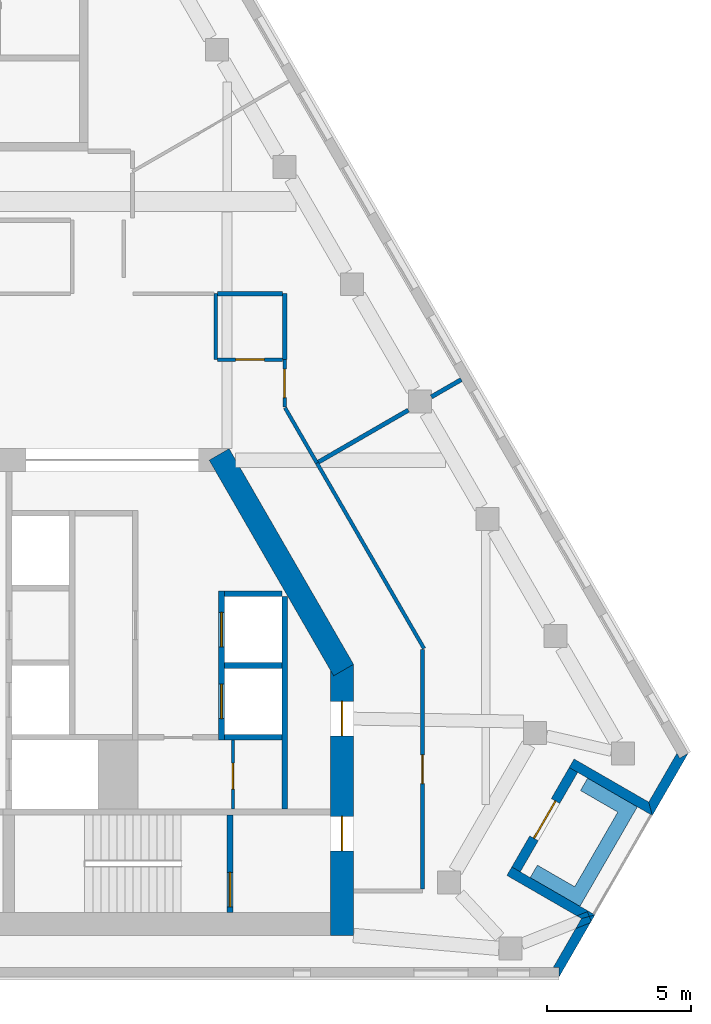
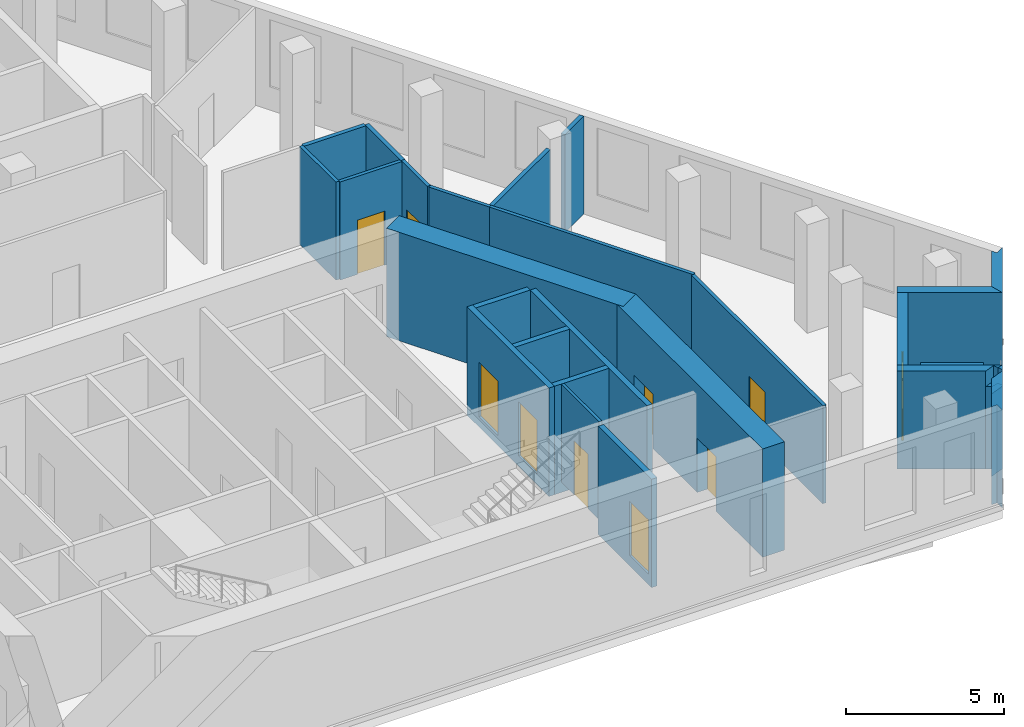
# One storey, part 5 of 8: 28 walls, 10 doors, 10 openings.
"""IFC4 building model written with IfcOpenShell, lengths in metres."""

from ifc_helpers import new_model, si_unit, direction, frame, frame_2d, origin, place, context, subcontext, project, spatial, polyline, rectangle, outline, extrude, material, layer, layer_set, type_object, element, fill, save


model = new_model("IFC4")

# Units and contexts
model_context = context("Model", 3, precision=1e-05, world=origin(), true_north=direction((0.0, 1.0)))
body_context = subcontext(model_context, "Body", "Model", "MODEL_VIEW")
ifc_project = project(units=[si_unit("LENGTHUNIT", "METRE"), si_unit("AREAUNIT", "SQUARE_METRE"), si_unit("VOLUMEUNIT", "CUBIC_METRE"), si_unit("PLANEANGLEUNIT", "RADIAN"), si_unit("MASSUNIT", "GRAM", prefix="KILO")], contexts=[model_context])

# Site, building, storey
site_placement = place(None, origin())
site = spatial("IfcSite", under=ifc_project, at=site_placement, CompositionType="ELEMENT")
building_placement = place(site_placement, origin())
building = spatial("IfcBuilding", under=site, at=building_placement, Name="Fogline Exchange Tower", CompositionType="ELEMENT")
storey_placement = place(building_placement, frame((0.0, 0.0, 296.10009765625)))
storey = spatial("IfcBuildingStorey", under=building, at=storey_placement, Name="L67", CompositionType="ELEMENT", Elevation=296.10009765625)

# Wall, opening, door
ifc_material_1 = material(Name="Blockwork partition", Category="masonry")
ifc_layer_1 = layer(ifc_material_1, 0.10009765625)
ifc_layer_set_1 = layer_set([ifc_layer_1], Name="CW10")
wall_type_1 = type_object("IfcWallType", Name="CW10", PredefinedType="PARTITIONING", material=ifc_layer_set_1)
wall_1_placement = place(storey_placement, frame((9.199951171875, 5.85009765625, 0.0), z_axis=(0.0, 0.0, 1.0), x_axis=(0.0, 1.0, 0.0)))
wall_1 = element("IfcWall", 1, at=wall_1_placement, inside=storey, type_object=wall_type_1, Name="WC partition", PredefinedType="PARTITIONING", context=body_context, shape_type="SweptSolid", body=[
    extrude(rectangle(XDim=2.39990234375, YDim=0.10009765625, at=frame_2d((1.199951171875, 0.0))), origin(), (0.0, 0.0, 1.0), 3.7998046875),
])
opening_1_placement = place(wall_1_placement, frame((0.699951171875, 0.0, 0.0)))
opening_1 = element("IfcOpeningElement", 2, at=opening_1_placement, cuts=wall_1, Name="Opening T21-C016", PredefinedType="OPENING", context=body_context, shape_type="SweptSolid", body=[
    extrude(rectangle(XDim=0.89990234375, YDim=2.10009765625, at=frame_2d((0.449951171875, 1.050048828125))), frame((0.0, 0.06005859375, 0.0), z_axis=(0.0, -1.0, 0.0), x_axis=(1.0, 0.0, 0.0)), (0.0, 0.0, 1.0), 0.1201171875),
])
ifc_material_2 = material(Name="Steel and timber fire door", Category="steel")
door_type_1 = type_object("IfcDoorType", Name="D-CS1", OperationType="SINGLE_SWING_RIGHT", PredefinedType="DOOR", material=ifc_material_2)
door_1_placement = place(opening_1_placement, frame((0.89990234375, 0.0, 0.0), z_axis=(0.0, 0.0, 1.0), x_axis=(-1.0, 0.0, 0.0)))
door_1 = element("IfcDoor", 3, at=door_1_placement, inside=storey, type_object=door_type_1, Name="Door to Cleaner's Store", OperationType="SINGLE_SWING_RIGHT", OverallHeight=2.10009765625, OverallWidth=0.89990234375, PredefinedType="DOOR", context=body_context, shape_type="SweptSolid", body=[
    extrude(rectangle(XDim=0.89990234375, YDim=2.10009765625, at=frame_2d((0.449951171875, 1.050048828125))), frame((0.0, 0.02490234375, 0.0), z_axis=(0.0, -1.0, 0.0), x_axis=(1.0, 0.0, 0.0)), (0.0, 0.0, 1.0), 0.050048828125),
])
fill(opening_1, door_1)

# Wall
ifc_material_3 = material(Name="Concrete C40", Category="concrete")
ifc_layer_2 = layer(ifc_material_3, 0.199951171875)
ifc_layer_set_2 = layer_set([ifc_layer_2], Name="CW20")
wall_type_2 = type_object("IfcWallType", Name="CW20", PredefinedType="SOLIDWALL", material=ifc_layer_set_2)
wall_2_placement = place(storey_placement, frame((11.0, 5.85009765625, 0.0), z_axis=(0.0, 0.0, 1.0), x_axis=(0.0, 1.0, 0.0)))
element("IfcWall", 4, at=wall_2_placement, inside=storey, type_object=wall_type_2, Name="Service room wall", PredefinedType="SOLIDWALL", context=body_context, shape_type="SweptSolid", body=[
    extrude(rectangle(XDim=7.39990234375, YDim=0.199951171875, at=frame_2d((3.699951171875, 0.0))), origin(), (0.0, 0.0, 1.0), 3.7998046875),
])

# Wall, opening, door
ifc_layer_3 = layer(ifc_material_3, 0.199951171875)
ifc_layer_set_3 = layer_set([ifc_layer_3], Name="CW20R")
wall_type_3 = type_object("IfcWallType", Name="CW20R", PredefinedType="SOLIDWALL", material=ifc_layer_set_3)
wall_3_placement = place(storey_placement, frame((9.10009765625, 2.25, -0.400146484375), z_axis=(0.0, 0.0, 1.0), x_axis=(0.0, 1.0, 0.0)))
wall_3 = element("IfcWall", 5, at=wall_3_placement, inside=storey, type_object=wall_type_3, Name="Stair enclosure wall", PredefinedType="SOLIDWALL", context=body_context, shape_type="SweptSolid", body=[
    extrude(rectangle(XDim=3.39990234375, YDim=0.199951171875, at=frame_2d((1.699951171875, 0.0))), origin(), (0.0, 0.0, 1.0), 4.199951171875),
])
opening_2_placement = place(wall_3_placement, frame((0.199951171875, 0.0, 0.39990234375)))
opening_2 = element("IfcOpeningElement", 6, at=opening_2_placement, cuts=wall_3, Name="Opening T21-C018", PredefinedType="OPENING", context=body_context, shape_type="SweptSolid", body=[
    extrude(rectangle(XDim=1.199951171875, YDim=2.10009765625, at=frame_2d((0.60009765625, 1.050048828125))), frame((0.0, 0.10986328125, 0.0), z_axis=(0.0, -1.0, 0.0), x_axis=(1.0, 0.0, 0.0)), (0.0, 0.0, 1.0), 0.219970703125),
])
door_type_2 = type_object("IfcDoorType", Name="D-ST1", OperationType="SINGLE_SWING_LEFT", PredefinedType="DOOR", material=ifc_material_2)
door_2_placement = place(opening_2_placement, origin())
door_2 = element("IfcDoor", 7, at=door_2_placement, inside=storey, type_object=door_type_2, Name="Stair door ST2", OperationType="SINGLE_SWING_LEFT", OverallHeight=2.10009765625, OverallWidth=1.199951171875, PredefinedType="DOOR", context=body_context, shape_type="SweptSolid", body=[
    extrude(rectangle(XDim=1.199951171875, YDim=2.10009765625, at=frame_2d((0.60009765625, 1.050048828125))), frame((0.0, 0.02490234375, 0.0), z_axis=(0.0, -1.0, 0.0), x_axis=(1.0, 0.0, 0.0)), (0.0, 0.0, 1.0), 0.050048828125),
])
fill(opening_2, door_2)

# Wall, openings, doors
ifc_layer_4 = layer(ifc_material_3, 0.199951171875)
ifc_layer_set_4 = layer_set([ifc_layer_4], Name="CW20S")
wall_type_4 = type_object("IfcWallType", Name="CW20S", PredefinedType="SOLIDWALL", material=ifc_layer_set_4)
wall_4_placement = place(storey_placement, frame((8.800048828125, 8.25, -0.400146484375), z_axis=(0.0, 0.0, 1.0), x_axis=(0.0, 1.0, 0.0)))
wall_4 = element("IfcWall", 8, at=wall_4_placement, inside=storey, type_object=wall_type_4, Name="Lift shaft wall", PredefinedType="SOLIDWALL", context=body_context, shape_type="SweptSolid", body=[
    extrude(rectangle(XDim=5.199951171875, YDim=0.199951171875, at=frame_2d((2.60009765625, 0.0))), origin(), (0.0, 0.0, 1.0), 4.199951171875),
])
opening_3_placement = place(wall_4_placement, frame((0.75, 0.0, 0.39990234375)))
opening_3 = element("IfcOpeningElement", 9, at=opening_3_placement, cuts=wall_4, Name="Opening T21-LD02", PredefinedType="OPENING", context=body_context, shape_type="SweptSolid", body=[
    extrude(rectangle(XDim=1.199951171875, YDim=2.10009765625, at=frame_2d((0.60009765625, 1.050048828125))), frame((0.0, 0.10986328125, 0.0), z_axis=(0.0, -1.0, 0.0), x_axis=(1.0, 0.0, 0.0)), (0.0, 0.0, 1.0), 0.219970703125),
])
opening_4_placement = place(wall_4_placement, frame((3.25, 0.0, 0.39990234375)))
opening_4 = element("IfcOpeningElement", 10, at=opening_4_placement, cuts=wall_4, Name="Opening T21-LD03", PredefinedType="OPENING", context=body_context, shape_type="SweptSolid", body=[
    extrude(rectangle(XDim=1.199951171875, YDim=2.10009765625, at=frame_2d((0.60009765625, 1.050048828125))), frame((0.0, 0.10986328125, 0.0), z_axis=(0.0, -1.0, 0.0), x_axis=(1.0, 0.0, 0.0)), (0.0, 0.0, 1.0), 0.219970703125),
])
door_type_3 = type_object("IfcDoorType", Name="LD1", OperationType="SLIDING_TO_LEFT", PredefinedType="DOOR", material=ifc_material_2)
door_3_placement = place(opening_3_placement, origin())
door_3 = element("IfcDoor", 11, at=door_3_placement, inside=storey, type_object=door_type_3, Name="Landing door HR1", OperationType="SLIDING_TO_LEFT", OverallHeight=2.10009765625, OverallWidth=1.199951171875, PredefinedType="DOOR", context=body_context, shape_type="SweptSolid", body=[
    extrude(rectangle(XDim=1.199951171875, YDim=2.10009765625, at=frame_2d((0.60009765625, 1.050048828125))), frame((0.0, 0.02490234375, 0.0), z_axis=(0.0, -1.0, 0.0), x_axis=(1.0, 0.0, 0.0)), (0.0, 0.0, 1.0), 0.050048828125),
])
fill(opening_3, door_3)
door_4_placement = place(opening_4_placement, origin())
door_4 = element("IfcDoor", 12, at=door_4_placement, inside=storey, type_object=door_type_3, Name="Landing door HR2", OperationType="SLIDING_TO_LEFT", OverallHeight=2.10009765625, OverallWidth=1.199951171875, PredefinedType="DOOR", context=body_context, shape_type="SweptSolid", body=[
    extrude(rectangle(XDim=1.199951171875, YDim=2.10009765625, at=frame_2d((0.60009765625, 1.050048828125))), frame((0.0, 0.02490234375, 0.0), z_axis=(0.0, -1.0, 0.0), x_axis=(1.0, 0.0, 0.0)), (0.0, 0.0, 1.0), 0.050048828125),
])
fill(opening_4, door_4)

# Walls
for number, where, z_axis, x_axis, name in (
    (13, (8.89990234375, 8.35009765625, -0.400146484375), (0.0, 0.0, 1.0), (1.0, 0.0, 0.0), "Lift shaft wall"),
    (14, (8.89990234375, 10.85009765625, -0.400146484375), (0.0, 0.0, 1.0), (1.0, 0.0, 0.0), "Lift shaft wall"),
    (15, (8.89990234375, 13.35009765625, -0.400146484375), (0.0, 0.0, 1.0), (1.0, 0.0, 0.0), "Lift shaft wall"),
):
    element("IfcWall", number, at=place(storey_placement, frame(where, z_axis=z_axis, x_axis=x_axis)), inside=storey, type_object=wall_type_4, Name=name, PredefinedType="SOLIDWALL", context=body_context, shape_type="SweptSolid", body=[
        extrude(rectangle(XDim=2.0, YDim=0.199951171875, at=frame_2d((1.0, 0.0))), origin(), (0.0, 0.0, 1.0), 4.199951171875),
    ])
ifc_material_4 = material(Name="Brick masonry", Category="masonry")
ifc_layer_5 = layer(ifc_material_4, 0.340087890625)
ifc_layer_set_5 = layer_set([ifc_layer_5], Name="FW1")
wall_type_5 = type_object("IfcWallType", Name="FW1", PredefinedType="SOLIDWALL", material=ifc_layer_set_5)
wall_5_placement = place(storey_placement, origin())
element("IfcWall", 16, at=wall_5_placement, inside=storey, type_object=wall_type_5, Name="Brick wall L67 SE-c1", PredefinedType="SOLIDWALL", context=body_context, shape_type="SweptSolid", body=[
    extrude(outline(polyline([(21.644775390625, 1.891357421875), (21.1337890625, 1.6884765625), (21.33740234375, 2.041015625), (21.6083984375, 2.11376953125), (21.675537109375, 1.944580078125), (21.644775390625, 1.891357421875)])), origin(), (0.0, 0.0, 1.0), 3.199951171875),
])
wall_6_placement = place(storey_placement, origin())
element("IfcWall", 17, at=wall_6_placement, inside=storey, type_object=wall_type_5, Name="Brick wall L67 SE-c1", PredefinedType="SOLIDWALL", context=body_context, shape_type="SweptSolid", body=[
    extrude(outline(polyline([(21.675537109375, 1.944580078125), (21.6083984375, 2.11376953125), (21.802978515625, 2.166015625), (21.80322265625, 2.165771484375), (21.675537109375, 1.944580078125)])), origin(), (0.0, 0.0, 1.0), 3.7998046875),
])
wall_7_placement = place(storey_placement, origin())
element("IfcWall", 18, at=wall_7_placement, inside=storey, type_object=wall_type_5, Name="Brick wall L67 SE-c1", PredefinedType="SOLIDWALL", context=body_context, shape_type="SweptSolid", body=[
    extrude(outline(polyline([(20.55224609375, -0.001220703125), (20.551513671875, -0.0009765625), (20.551513671875, 0.33935546875), (20.354736328125, 0.33935546875), (21.1337890625, 1.6884765625), (21.644775390625, 1.891357421875), (20.55224609375, -0.001220703125)])), origin(), (0.0, 0.0, 1.0), 3.7998046875),
])
wall_8_placement = place(storey_placement, origin())
element("IfcWall", 19, at=wall_8_placement, inside=storey, type_object=wall_type_5, Name="Brick wall L67 SE-s1", PredefinedType="SOLIDWALL", context=body_context, shape_type="SweptSolid", body=[
    extrude(outline(polyline([(21.337646484375, 2.0400390625), (21.173583984375, 2.134521484375), (21.5419921875, 2.281005859375), (21.60888671875, 2.112548828125), (21.337646484375, 2.0400390625)])), origin(), (0.0, 0.0, 1.0), 3.199951171875),
])
wall_9_placement = place(storey_placement, origin())
element("IfcWall", 20, at=wall_9_placement, inside=storey, type_object=wall_type_5, Name="Brick wall L67 SE-s1", PredefinedType="SOLIDWALL", context=body_context, shape_type="SweptSolid", body=[
    extrude(outline(polyline([(18.909423828125, 3.8359375), (19.204345703125, 3.66552734375), (21.803466796875, 2.1650390625), (21.803466796875, 2.164794921875), (21.60888671875, 2.112548828125), (21.5419921875, 2.281005859375), (21.173583984375, 2.134521484375), (18.73876953125, 3.540283203125), (18.909423828125, 3.8359375)])), origin(), (0.0, 0.0, 1.0), 3.7998046875),
])

# Wall, opening, door
wall_10_placement = place(storey_placement, frame((19.056884765625, 3.75, 0.0), z_axis=(0.0, 0.0, 1.0), x_axis=(0.49999894854, 0.866026010844, 0.0)))
wall_10 = element("IfcWall", 21, at=wall_10_placement, inside=storey, type_object=wall_type_5, Name="Brick wall L67 SE-bk", PredefinedType="SOLIDWALL", context=body_context, shape_type="SweptSolid", body=[
    extrude(rectangle(XDim=4.0, YDim=0.340087890625, at=frame_2d((2.0, 0.0))), origin(), (0.0, 0.0, 1.0), 3.7998046875),
])
opening_5_placement = place(wall_10_placement, frame((1.25, 0.0, 0.0)))
opening_5 = element("IfcOpeningElement", 22, at=opening_5_placement, cuts=wall_10, Name="Opening T21-E081", PredefinedType="OPENING", context=body_context, shape_type="SweptSolid", body=[
    extrude(rectangle(XDim=1.5, YDim=2.39990234375, at=frame_2d((0.75, 1.199951171875))), frame((0.0, 0.18017578125, 0.0), z_axis=(0.0, -1.0, 0.0), x_axis=(1.0, 0.0, 0.0)), (0.0, 0.0, 1.0), 0.360107421875),
])
ifc_material_5 = material(Name="Aluminium and glass", Category="aluminium")
door_type_4 = type_object("IfcDoorType", Name="ED4", OperationType="SINGLE_SWING_LEFT", PredefinedType="DOOR", material=ifc_material_5)
door_5_placement = place(opening_5_placement, frame((1.5, 0.0, 0.0), z_axis=(0.0, 0.0, 1.0), x_axis=(-1.0, 0.0, 0.0)))
door_5 = element("IfcDoor", 23, at=door_5_placement, inside=storey, type_object=door_type_4, Name="Balcony door L67 SE", OperationType="DOUBLE_DOOR_SINGLE_SWING", OverallHeight=2.39990234375, OverallWidth=1.5, PredefinedType="DOOR", context=body_context, shape_type="SweptSolid", body=[
    extrude(rectangle(XDim=1.5, YDim=2.39990234375, at=frame_2d((0.75, 1.199951171875))), frame((0.0, 0.02490234375, 0.0), z_axis=(0.0, -1.0, 0.0), x_axis=(1.0, 0.0, 0.0)), (0.0, 0.0, 1.0), 0.050048828125),
])
fill(opening_5, door_5)

# Walls
wall_11_placement = place(storey_placement, origin())
element("IfcWall", 24, at=wall_11_placement, inside=storey, type_object=wall_type_5, Name="Brick wall L67 SE-s2", PredefinedType="SOLIDWALL", context=body_context, shape_type="SweptSolid", body=[
    extrude(outline(polyline([(23.802734375, 5.628173828125), (21.203857421875, 7.128662109375), (20.908935546875, 7.298828125), (21.079345703125, 7.594482421875), (23.67822265625, 6.093994140625), (23.802978515625, 5.62841796875), (23.802734375, 5.628173828125)])), origin(), (0.0, 0.0, 1.0), 3.7998046875),
])
wall_12_placement = place(storey_placement, origin())
element("IfcWall", 25, at=wall_12_placement, inside=storey, type_object=wall_type_5, Name="Brick wall L67 SE-c2", PredefinedType="SOLIDWALL", context=body_context, shape_type="SweptSolid", body=[
    extrude(outline(polyline([(24.65966796875, 7.79541015625), (24.758056640625, 7.625), (25.052734375, 7.79541015625), (25.05322265625, 7.794921875), (23.80224609375, 5.6279296875), (23.8017578125, 5.6279296875), (23.677001953125, 6.09375), (24.65966796875, 7.79541015625)])), origin(), (0.0, 0.0, 1.0), 3.7998046875),
])
ifc_material_6 = material(Name="Concrete C30", Category="concrete")
ifc_layer_6 = layer(ifc_material_6, 0.199951171875)
ifc_layer_set_6 = layer_set([ifc_layer_6], Name="PL1")
wall_type_6 = type_object("IfcWallType", Name="PL1", PredefinedType="USERDEFINED", material=ifc_layer_set_6)
wall_13_placement = place(storey_placement, origin())
element("IfcWall", 26, at=wall_13_placement, inside=storey, type_object=wall_type_6, Name="PLANTER balcony L67 SE", ObjectType="PLANTER", PredefinedType="USERDEFINED", context=body_context, shape_type="SweptSolid", body=[
    extrude(outline(polyline([(19.550537109375, 3.465087890625), (20.849609375, 2.715087890625), (20.849609375, 2.715087890625), (21.28271484375, 2.465087890625), (23.28271484375, 5.92919921875), (21.550537109375, 6.92919921875), (21.300537109375, 6.49609375), (22.599609375, 5.74609375), (21.099609375, 3.148193359375), (19.800537109375, 3.898193359375), (19.550537109375, 3.465087890625)])), origin(), (0.0, 0.0, 1.0), 1.099853515625),
])
ifc_material_7 = material(Name="Plasterboard corridor partition with mineral wool, 2 layers each side")
ifc_layer_7 = layer(ifc_material_7, 0.125)
ifc_layer_set_7 = layer_set([ifc_layer_7], Name="PW2")
wall_type_7 = type_object("IfcWallType", Name="PW2", PredefinedType="PARTITIONING", material=ifc_layer_set_7)
wall_14_placement = place(storey_placement, frame((11.015380859375, 19.822021484375, 0.0), z_axis=(0.0, 0.0, 1.0), x_axis=(0.500037141584, -0.866003959019, 0.0)))
element("IfcWall", 27, at=wall_14_placement, inside=storey, type_object=wall_type_7, Name="wall-L67-W001", PredefinedType="PARTITIONING", context=body_context, shape_type="SweptSolid", body=[
    extrude(rectangle(XDim=2.216064453125, YDim=0.125, at=frame_2d((1.10791015625, 0.0))), origin(), (0.0, 0.0, 1.0), 3.7998046875),
])
wall_15_placement = place(storey_placement, frame((12.12353515625, 17.90283203125, 0.0), z_axis=(0.0, 0.0, 1.0), x_axis=(0.499992468072, -0.866029752302, 0.0)))
element("IfcWall", 28, at=wall_15_placement, inside=storey, type_object=wall_type_7, Name="wall-L67-W002", PredefinedType="PARTITIONING", context=body_context, shape_type="SweptSolid", body=[
    extrude(rectangle(XDim=7.46142578125, YDim=0.125, at=frame_2d((3.730712890625, 0.0))), origin(), (0.0, 0.0, 1.0), 3.7998046875),
])

# Wall, opening, door
wall_16_placement = place(storey_placement, frame((15.800048828125, 11.409912109375, 0.0), z_axis=(0.0, 0.0, 1.0), x_axis=(0.0, -1.0, 0.0)))
wall_16 = element("IfcWall", 29, at=wall_16_placement, inside=storey, type_object=wall_type_7, Name="wall-L67-W003", PredefinedType="PARTITIONING", context=body_context, shape_type="SweptSolid", body=[
    extrude(rectangle(XDim=8.347412109375, YDim=0.125, at=frame_2d((4.173828125, 0.0))), origin(), (0.0, 0.0, 1.0), 3.7998046875),
])
opening_6_placement = place(wall_16_placement, frame((3.673583984375, 0.0, 0.0)))
opening_6 = element("IfcOpeningElement", 30, at=opening_6_placement, cuts=wall_16, Name="Opening T21-D001", PredefinedType="OPENING", context=body_context, shape_type="SweptSolid", body=[
    extrude(rectangle(XDim=1.0, YDim=2.10009765625, at=frame_2d((0.5, 1.050048828125))), frame((0.0, 0.072509765625, 0.0), z_axis=(0.0, -1.0, 0.0), x_axis=(1.0, 0.0, 0.0)), (0.0, 0.0, 1.0), 0.14501953125),
])
ifc_material_8 = material(Name="Fire-rated timber door leaf with steel frame", Category="steel")
door_type_5 = type_object("IfcDoorType", Name="D3", OperationType="SINGLE_SWING_LEFT", PredefinedType="DOOR", material=ifc_material_8)
door_6_placement = place(opening_6_placement, origin())
door_6 = element("IfcDoor", 31, at=door_6_placement, inside=storey, type_object=door_type_5, Name="door-L67-D001", OperationType="SINGLE_SWING_LEFT", OverallHeight=2.10009765625, OverallWidth=1.0, PredefinedType="DOOR", context=body_context, shape_type="SweptSolid", body=[
    extrude(rectangle(XDim=1.0, YDim=2.10009765625, at=frame_2d((0.5, 1.050048828125))), frame((0.0, 0.02490234375, 0.0), z_axis=(0.0, -1.0, 0.0), x_axis=(1.0, 0.0, 0.0)), (0.0, 0.0, 1.0), 0.050048828125),
])
fill(opening_6, door_6)

# Wall
wall_17_placement = place(storey_placement, frame((8.60009765625, 23.800048828125, 0.0), z_axis=(0.0, 0.0, 1.0), x_axis=(0.0, -1.0, 0.0)))
element("IfcWall", 32, at=wall_17_placement, inside=storey, type_object=wall_type_7, Name="wall-L67-W005", PredefinedType="PARTITIONING", context=body_context, shape_type="SweptSolid", body=[
    extrude(rectangle(XDim=2.300048828125, YDim=0.125, at=frame_2d((1.14990234375, 0.0))), origin(), (0.0, 0.0, 1.0), 3.7998046875),
])

# Wall, opening, door
wall_18_placement = place(storey_placement, frame((8.66259765625, 21.5, 0.0), z_axis=(0.0, 0.0, 1.0), x_axis=(1.0, 0.0, 0.0)))
wall_18 = element("IfcWall", 33, at=wall_18_placement, inside=storey, type_object=wall_type_7, Name="wall-L67-W006", PredefinedType="PARTITIONING", context=body_context, shape_type="SweptSolid", body=[
    extrude(rectangle(XDim=2.262451171875, YDim=0.125, at=frame_2d((1.13134765625, 0.0))), origin(), (0.0, 0.0, 1.0), 3.7998046875),
])
opening_7_placement = place(wall_18_placement, frame((0.63134765625, 0.0, 0.0)))
opening_7 = element("IfcOpeningElement", 34, at=opening_7_placement, cuts=wall_18, Name="Opening T21-D002", PredefinedType="OPENING", context=body_context, shape_type="SweptSolid", body=[
    extrude(rectangle(XDim=1.0, YDim=2.10009765625, at=frame_2d((0.5, 1.050048828125))), frame((0.0, 0.072509765625, 0.0), z_axis=(0.0, -1.0, 0.0), x_axis=(1.0, 0.0, 0.0)), (0.0, 0.0, 1.0), 0.14501953125),
])
door_7_placement = place(opening_7_placement, origin())
door_7 = element("IfcDoor", 35, at=door_7_placement, inside=storey, type_object=door_type_5, Name="door-L67-D002", OperationType="SINGLE_SWING_LEFT", OverallHeight=2.10009765625, OverallWidth=1.0, PredefinedType="DOOR", context=body_context, shape_type="SweptSolid", body=[
    extrude(rectangle(XDim=1.0, YDim=2.10009765625, at=frame_2d((0.5, 1.050048828125))), frame((0.0, 0.02490234375, 0.0), z_axis=(0.0, -1.0, 0.0), x_axis=(1.0, 0.0, 0.0)), (0.0, 0.0, 1.0), 0.050048828125),
])
fill(opening_7, door_7)

wall_19_placement = place(storey_placement, frame((11.0, 21.5, 0.0), z_axis=(0.0, 0.0, 1.0), x_axis=(0.0, -1.0, 0.0)))
wall_19 = element("IfcWall", 36, at=wall_19_placement, inside=storey, type_object=wall_type_7, Name="wall-L67-W008", PredefinedType="PARTITIONING", context=body_context, shape_type="SweptSolid", body=[
    extrude(rectangle(XDim=1.6513671875, YDim=0.125, at=frame_2d((0.82568359375, 0.0))), origin(), (0.0, 0.0, 1.0), 3.7998046875),
])
opening_8_placement = place(wall_19_placement, frame((0.32568359375, 0.0, 0.0)))
opening_8 = element("IfcOpeningElement", 37, at=opening_8_placement, cuts=wall_19, Name="Opening T21-D003", PredefinedType="OPENING", context=body_context, shape_type="SweptSolid", body=[
    extrude(rectangle(XDim=1.0, YDim=2.10009765625, at=frame_2d((0.5, 1.050048828125))), frame((0.0, 0.072509765625, 0.0), z_axis=(0.0, -1.0, 0.0), x_axis=(1.0, 0.0, 0.0)), (0.0, 0.0, 1.0), 0.14501953125),
])
door_8_placement = place(opening_8_placement, origin())
door_8 = element("IfcDoor", 38, at=door_8_placement, inside=storey, type_object=door_type_5, Name="door-L67-D003", OperationType="SINGLE_SWING_LEFT", OverallHeight=2.10009765625, OverallWidth=1.0, PredefinedType="DOOR", context=body_context, shape_type="SweptSolid", body=[
    extrude(rectangle(XDim=1.0, YDim=2.10009765625, at=frame_2d((0.5, 1.050048828125))), frame((0.0, 0.02490234375, 0.0), z_axis=(0.0, -1.0, 0.0), x_axis=(1.0, 0.0, 0.0)), (0.0, 0.0, 1.0), 0.050048828125),
])
fill(opening_8, door_8)

# Walls
ifc_material_9 = material(Name="Plasterboard demising partition with mineral wool and acoustic board")
ifc_layer_8 = layer(ifc_material_9, 0.14990234375)
ifc_layer_set_8 = layer_set([ifc_layer_8], Name="PW3")
wall_type_8 = type_object("IfcWallType", Name="PW3", PredefinedType="PARTITIONING", material=ifc_layer_set_8)
wall_20_placement = place(storey_placement, frame((8.6630859375, 23.800048828125, 0.0), z_axis=(0.0, 0.0, 1.0), x_axis=(1.0, 0.0, 0.0)))
element("IfcWall", 39, at=wall_20_placement, inside=storey, type_object=wall_type_8, Name="wall-L67-W025", PredefinedType="PARTITIONING", context=body_context, shape_type="SweptSolid", body=[
    extrude(rectangle(XDim=2.261962890625, YDim=0.14990234375, at=frame_2d((1.130859375, 0.0))), origin(), (0.0, 0.0, 1.0), 3.7998046875),
])
wall_21_placement = place(storey_placement, frame((11.0, 23.800048828125, 0.0), z_axis=(0.0, 0.0, 1.0), x_axis=(0.0, -1.0, 0.0)))
element("IfcWall", 40, at=wall_21_placement, inside=storey, type_object=wall_type_8, Name="wall-L67-W026", PredefinedType="PARTITIONING", context=body_context, shape_type="SweptSolid", body=[
    extrude(rectangle(XDim=2.300048828125, YDim=0.14990234375, at=frame_2d((1.14990234375, 0.0))), origin(), (0.0, 0.0, 1.0), 3.7998046875),
])
wall_22_placement = place(storey_placement, frame((17.1484375, 20.803955078125, 0.0), z_axis=(0.0, 0.0, 1.0), x_axis=(-0.866019662671, -0.500009943768, 0.0)))
element("IfcWall", 41, at=wall_22_placement, inside=storey, type_object=wall_type_8, Name="wall-L67-W028", PredefinedType="PARTITIONING", context=body_context, shape_type="SweptSolid", body=[
    extrude(rectangle(XDim=1.20068359375, YDim=0.14990234375, at=frame_2d((0.600341796875, 0.0))), origin(), (0.0, 0.0, 1.0), 3.7998046875),
])
wall_23_placement = place(storey_placement, frame((15.30859375, 19.74169921875, 0.0), z_axis=(0.0, 0.0, 1.0), x_axis=(-0.866040526528, -0.499973805724, 0.0)))
element("IfcWall", 42, at=wall_23_placement, inside=storey, type_object=wall_type_8, Name="wall-L67-W029", PredefinedType="PARTITIONING", context=body_context, shape_type="SweptSolid", body=[
    extrude(rectangle(XDim=3.615478515625, YDim=0.14990234375, at=frame_2d((1.8076171875, 0.0))), origin(), (0.0, 0.0, 1.0), 3.7998046875),
])

# Wall, openings, doors
ifc_material_10 = material(Name="Concrete C50", Category="concrete")
ifc_layer_9 = layer(ifc_material_10, 0.800048828125)
ifc_layer_set_9 = layer_set([ifc_layer_9], Name="SW04")
wall_type_9 = type_object("IfcWallType", Name="SW04", PredefinedType="SHEAR", material=ifc_layer_set_9)
wall_24_placement = place(storey_placement, frame((13.0, 1.449951171875, 0.0), z_axis=(0.0, 0.0, 1.0), x_axis=(0.0, 1.0, 0.0)))
wall_24 = element("IfcWall", 43, at=wall_24_placement, inside=storey, type_object=wall_type_9, Name="L67-W902", PredefinedType="SHEAR", context=body_context, shape_type="SweptSolid", body=[
    extrude(rectangle(XDim=9.44189453125, YDim=0.800048828125, at=frame_2d((4.720947265625, 0.0))), origin(), (0.0, 0.0, 1.0), 4.199951171875),
])
opening_9_placement = place(wall_24_placement, frame((2.949951171875, 0.0, 0.0)))
opening_9 = element("IfcOpeningElement", 44, at=opening_9_placement, cuts=wall_24, Name="Opening T21-C017", PredefinedType="OPENING", context=body_context, shape_type="SweptSolid", body=[
    extrude(rectangle(XDim=1.199951171875, YDim=2.10009765625, at=frame_2d((0.60009765625, 1.050048828125))), frame((0.0, 0.41015625, 0.0), z_axis=(0.0, -1.0, 0.0), x_axis=(1.0, 0.0, 0.0)), (0.0, 0.0, 1.0), 0.820068359375),
])
opening_10_placement = place(wall_24_placement, frame((6.949951171875, 0.0, 0.0)))
opening_10 = element("IfcOpeningElement", 45, at=opening_10_placement, cuts=wall_24, Name="Opening T21-C019", PredefinedType="OPENING", context=body_context, shape_type="SweptSolid", body=[
    extrude(rectangle(XDim=1.199951171875, YDim=2.10009765625, at=frame_2d((0.60009765625, 1.050048828125))), frame((0.0, 0.41015625, 0.0), z_axis=(0.0, -1.0, 0.0), x_axis=(1.0, 0.0, 0.0)), (0.0, 0.0, 1.0), 0.820068359375),
])
door_type_6 = type_object("IfcDoorType", Name="D-FR1", OperationType="SINGLE_SWING_RIGHT", PredefinedType="DOOR", material=ifc_material_2)
door_9_placement = place(opening_9_placement, origin())
door_9 = element("IfcDoor", 46, at=door_9_placement, inside=storey, type_object=door_type_6, Name="Front room door ST2", OperationType="SINGLE_SWING_RIGHT", OverallHeight=2.10009765625, OverallWidth=1.199951171875, PredefinedType="DOOR", context=body_context, shape_type="SweptSolid", body=[
    extrude(rectangle(XDim=1.199951171875, YDim=2.10009765625, at=frame_2d((0.60009765625, 1.050048828125))), frame((0.0, 0.02490234375, 0.0), z_axis=(0.0, -1.0, 0.0), x_axis=(1.0, 0.0, 0.0)), (0.0, 0.0, 1.0), 0.050048828125),
])
fill(opening_9, door_9)
door_type_7 = type_object("IfcDoorType", Name="D-SV1", OperationType="SINGLE_SWING_LEFT", PredefinedType="DOOR", material=ifc_material_2)
door_10_placement = place(opening_10_placement, origin())
door_10 = element("IfcDoor", 47, at=door_10_placement, inside=storey, type_object=door_type_7, Name="Service door E", OperationType="SINGLE_SWING_RIGHT", OverallHeight=2.10009765625, OverallWidth=1.199951171875, PredefinedType="DOOR", context=body_context, shape_type="SweptSolid", body=[
    extrude(rectangle(XDim=1.199951171875, YDim=2.10009765625, at=frame_2d((0.60009765625, 1.050048828125))), frame((0.0, 0.02490234375, 0.0), z_axis=(0.0, -1.0, 0.0), x_axis=(1.0, 0.0, 0.0)), (0.0, 0.0, 1.0), 0.050048828125),
])
fill(opening_10, door_10)

# Wall
wall_25_placement = place(storey_placement, frame((13.0537109375, 10.69189453125, 0.0), z_axis=(0.0, 0.0, 1.0), x_axis=(-0.500015780397, 0.866016292776, 0.0)))
element("IfcWall", 48, at=wall_25_placement, inside=storey, type_object=wall_type_9, Name="L67-W903", PredefinedType="SHEAR", context=body_context, shape_type="SweptSolid", body=[
    extrude(rectangle(XDim=8.669677734375, YDim=0.800048828125, at=frame_2d((4.3349609375, 0.0))), origin(), (0.0, 0.0, 1.0), 4.199951171875),
])

save(model, "model.ifc")
